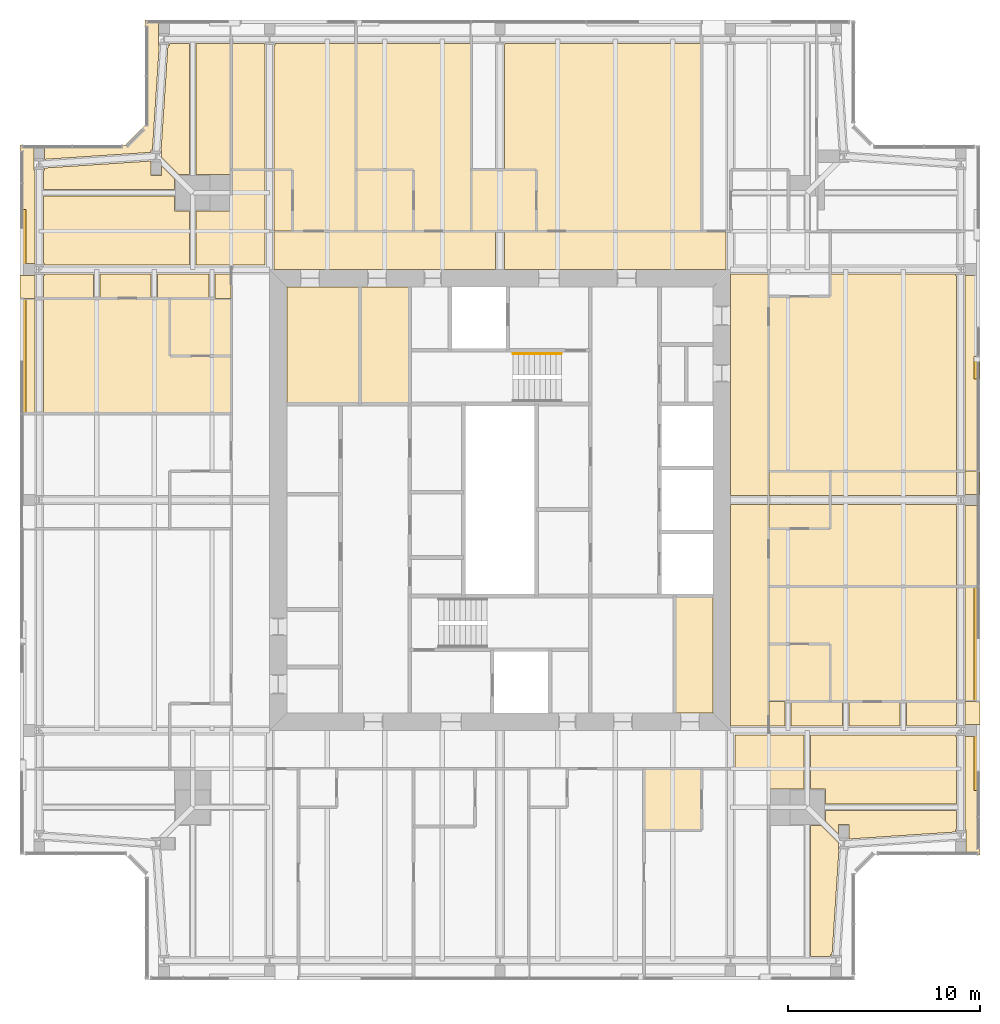
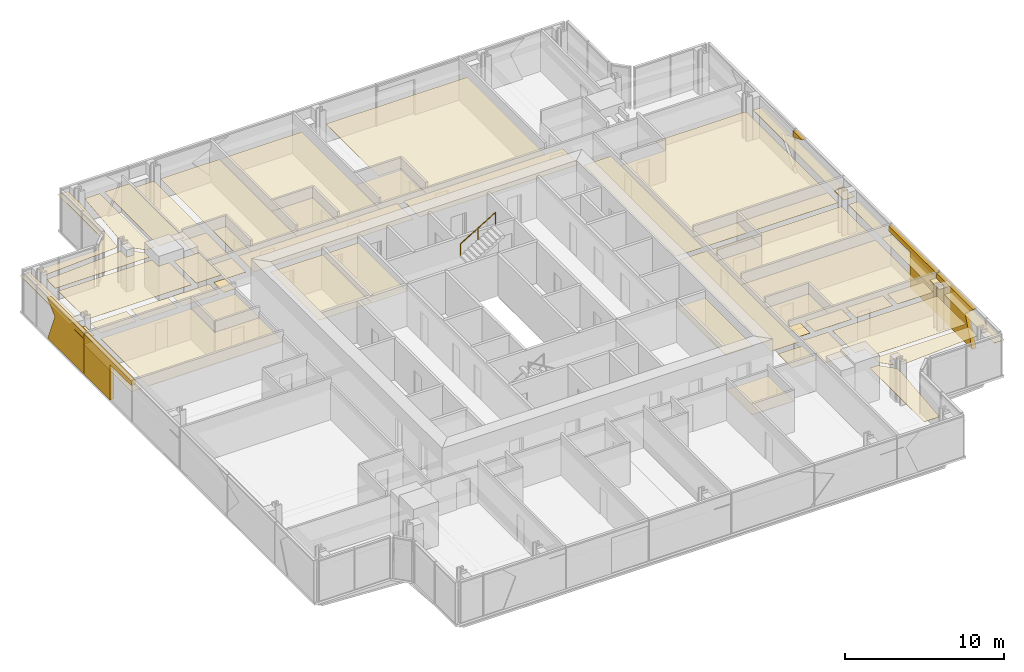
# One storey, part 17 of 18: 59 coverings, 1 railing.
"""IFC4 building model written with IfcOpenShell, lengths in metres."""

import ifcopenshell
import ifcopenshell.guid

model = None  # the IFC model being written
_history = None  # IfcOwnerHistory: only IFC2X3 demands one
_inside = {}  # id of a spatial element -> (the spatial element, [elements in it])
_under = {}  # id of a project, library or spatial element -> (it, [spatial elements below it])
_declared = {}  # id of a project -> (the project, [libraries it declares])
_typed = {}  # id of a type object -> (the type object, [elements of that type])
_made_of = {}  # id of a material, layer set ... -> (it, [elements and type objects made of it])


def new_model(schema):
    """Start an empty IFC model of exactly this schema.

    Asked for "IFC4X3", IfcOpenShell would pick the latest addendum, in which some entities
    have other attributes; the version numbers below select the first issue.
    IFC2X3 requires an IfcOwnerHistory on every rooted entity: one is made here for all.
    """
    global model, _history
    if schema == "IFC4X3":
        model = ifcopenshell.file(schema_version=(4, 3, 0, 0))
    else:
        model = ifcopenshell.file(schema=schema)
    _inside.clear()
    _under.clear()
    _declared.clear()
    _typed.clear()
    _made_of.clear()
    _history = None
    if model.schema == "IFC2X3":
        org = make("IfcOrganization", Name="unknown")
        user = make(
            "IfcPersonAndOrganization",
            ThePerson=make("IfcPerson", FamilyName="unknown"),
            TheOrganization=org,
        )
        app = make(
            "IfcApplication",
            ApplicationDeveloper=org,
            Version="unknown",
            ApplicationFullName="unknown",
            ApplicationIdentifier="unknown",
        )
        _history = make(
            "IfcOwnerHistory",
            OwningUser=user,
            OwningApplication=app,
            ChangeAction="ADDED",
            CreationDate=0,
        )
    return model


def make(cls, **values):
    """One entity of the class cls with the attributes given. An attribute that is None is left unset."""
    return model.create_entity(
        cls, **{name: value for name, value in values.items() if value is not None}
    )


def rooted(cls, **values):
    """An entity with a GlobalId (a new one), such as an element, a storey or a relation."""
    return make(cls, GlobalId=ifcopenshell.guid.new(), OwnerHistory=_history, **values)


def si_unit(unit_type, name, prefix=None):
    """IfcSIUnit, for example si_unit("LENGTHUNIT", "METRE", prefix="MILLI")."""
    return make("IfcSIUnit", UnitType=unit_type, Prefix=prefix, Name=name)


def assignment(units):
    """IfcUnitAssignment: the units of a project."""
    return None if units is None else make("IfcUnitAssignment", Units=units)


def point(xyz):
    """IfcCartesianPoint."""
    return None if xyz is None else make("IfcCartesianPoint", Coordinates=xyz)


def direction(xyz):
    """IfcDirection."""
    return None if xyz is None else make("IfcDirection", DirectionRatios=xyz)


def frame(location, z_axis=None, x_axis=None):
    """IfcAxis2Placement3D, a coordinate frame: its origin and axes. An axis left out is left unset."""
    return make(
        "IfcAxis2Placement3D",
        Location=point(location),
        Axis=direction(z_axis),
        RefDirection=direction(x_axis),
    )


def frame_2d(location, x_axis=None):
    """IfcAxis2Placement2D, a coordinate frame in the plane: its origin and x axis."""
    return make(
        "IfcAxis2Placement2D", Location=point(location), RefDirection=direction(x_axis)
    )


def origin():
    """The frame at (0, 0, 0) with its axes left unset."""
    return frame((0.0, 0.0, 0.0))


def origin_2d():
    """The frame at (0, 0) in the plane with its x axis left unset."""
    return frame_2d((0.0, 0.0))


def place(relative_to, where):
    """IfcLocalPlacement: puts the frame where relative to a parent placement (None: the world)."""
    return make(
        "IfcLocalPlacement", PlacementRelTo=relative_to, RelativePlacement=where
    )


def context(
    kind, dimensions, precision=None, world=None, true_north=None, identifier=None
):
    """IfcGeometricRepresentationContext, for example the 3D "Model" context."""
    return make(
        "IfcGeometricRepresentationContext",
        ContextIdentifier=identifier,
        ContextType=kind,
        CoordinateSpaceDimension=dimensions,
        Precision=precision,
        WorldCoordinateSystem=world,
        TrueNorth=true_north,
    )


def subcontext(parent, identifier, kind, view, scale=None):
    """IfcGeometricRepresentationSubContext, for example "Body" below "Model"."""
    return make(
        "IfcGeometricRepresentationSubContext",
        ContextIdentifier=identifier,
        ContextType=kind,
        ParentContext=parent,
        TargetScale=scale,
        TargetView=view,
    )


def project(units=None, contexts=None):
    """IfcProject with its units and contexts."""
    return rooted(
        "IfcProject",
        Name="project",
        RepresentationContexts=contexts,
        UnitsInContext=assignment(units),
    )


def spatial(cls, under=None, at=None, **own):
    """A site, building, storey or space (cls), placed at a placement, below another one or the project."""
    s = rooted(cls, ObjectPlacement=at, **own)
    if under is not None:
        _under.setdefault(under.id(), (under, []))[1].append(s)
    return s


def polyline(points):
    """IfcPolyline through the points."""
    return make("IfcPolyline", Points=[point(p) for p in points])


def profile(cls, at=None, kind="AREA", **sizes):
    """A parametric profile (cls). Its sizes go by their IFC names, for example OverallWidth=200.0."""
    return make(cls, ProfileType=kind, Position=at, **sizes)


def circle(**sizes):
    """IfcCircleProfileDef."""
    return profile("IfcCircleProfileDef", **sizes)


def outline(outer, holes=None, kind="AREA"):
    """IfcArbitraryClosedProfileDef: a profile drawn as a closed curve; with holes, ...WithVoids."""
    if holes is None:
        return make("IfcArbitraryClosedProfileDef", ProfileType=kind, OuterCurve=outer)
    return make(
        "IfcArbitraryProfileDefWithVoids",
        ProfileType=kind,
        OuterCurve=outer,
        InnerCurves=holes,
    )


def extrude(swept, where, along, depth):
    """IfcExtrudedAreaSolid: the profile swept, set in the frame where, extruded along a direction by depth."""
    return make(
        "IfcExtrudedAreaSolid",
        SweptArea=swept,
        Position=where,
        ExtrudedDirection=direction(along),
        Depth=depth,
    )


def shape(context_of_items, identifier, shape_type, items):
    """IfcShapeRepresentation: the items that make up one representation, for example the "Body"."""
    return make(
        "IfcShapeRepresentation",
        ContextOfItems=context_of_items,
        RepresentationIdentifier=identifier,
        RepresentationType=shape_type,
        Items=items,
    )


def material(Name=None, Category=None):
    """IfcMaterial."""
    return make("IfcMaterial", Name=Name, Category=Category)


def layer(
    of_material, thickness, ventilated=None, Name=None, Category=None, Priority=None
):
    """IfcMaterialLayer: one layer of a wall or slab, of a material (None: an air gap)."""
    return make(
        "IfcMaterialLayer",
        Material=of_material,
        LayerThickness=thickness,
        IsVentilated=ventilated,
        Name=Name,
        Category=Category,
        Priority=Priority,
    )


def layer_set(layers, Name=None):
    """IfcMaterialLayerSet."""
    return make("IfcMaterialLayerSet", MaterialLayers=layers, LayerSetName=Name)


def made_of(thing, what):
    """Note that an element or type object is made of a material, layer set ...; save() writes the relation."""
    if what is not None:
        _made_of.setdefault(what.id(), (what, []))[1].append(thing)
    return thing


def type_object(cls, material=None, **own):
    """A type object (cls), such as IfcWallType, which elements share."""
    return made_of(rooted(cls, **own), material)


def element(
    cls,
    number,
    at=None,
    inside=None,
    cuts=None,
    type_object=None,
    material=None,
    context=None,
    identifier="Body",
    shape_type=None,
    held_by="IfcProductDefinitionShape",
    body=None,
    shapes=None,
    **own,
):
    """One element of the class cls, such as IfcWall. Its Tag is "e" and its number.

    at: its placement. inside: the storey or other place that contains it. cuts: it is an
    opening in that element (IfcRelVoidsElement). A single representation is given by context,
    identifier, shape_type and body (its items); several are given by shapes. held_by: the class
    of the entity that holds the representations. save() writes the other relations.
    """
    e = rooted(cls, Tag="e%d" % number, ObjectPlacement=at, **own)
    if body is not None:
        shapes = [shape(context, identifier, shape_type, body)]
    if shapes is not None:
        e.Representation = make(held_by, Representations=shapes)
    if inside is not None:
        _inside.setdefault(inside.id(), (inside, []))[1].append(e)
    if cuts is not None:
        rooted(
            "IfcRelVoidsElement", RelatingBuildingElement=cuts, RelatedOpeningElement=e
        )
    if type_object is not None:
        _typed.setdefault(type_object.id(), (type_object, []))[1].append(e)
    return made_of(e, material)


def aggregate(whole, parts):
    """IfcRelAggregates: a whole, such as a stair, and the parts it consists of."""
    return rooted("IfcRelAggregates", RelatingObject=whole, RelatedObjects=parts)


def save(model, path):
    """Write the relations noted so far, then the file.

    IfcRelAggregates (storeys below a building ...), IfcRelContainedInSpatialStructure (elements
    in a storey), IfcRelDefinesByType, IfcRelAssociatesMaterial and IfcRelDeclares: one each for
    every whole, place, type object, material and project.
    """
    for whole, parts in _under.values():
        aggregate(whole, parts)
    for where, things in _inside.values():
        rooted(
            "IfcRelContainedInSpatialStructure",
            RelatedElements=things,
            RelatingStructure=where,
        )
    for kind, things in _typed.values():
        rooted("IfcRelDefinesByType", RelatedObjects=things, RelatingType=kind)
    for what, things in _made_of.values():
        rooted("IfcRelAssociatesMaterial", RelatedObjects=things, RelatingMaterial=what)
    for by, libraries in _declared.values():
        rooted("IfcRelDeclares", RelatingContext=by, RelatedDefinitions=libraries)
    model.write(path)


model = new_model("IFC4")

# Units and contexts
model_context = context("Model", 3, precision=1e-05, world=origin(), true_north=direction((0.0, 1.0)))
body_context = subcontext(model_context, "Body", "Model", "MODEL_VIEW")
ifc_project = project(units=[si_unit("LENGTHUNIT", "METRE"), si_unit("AREAUNIT", "SQUARE_METRE"), si_unit("VOLUMEUNIT", "CUBIC_METRE"), si_unit("PLANEANGLEUNIT", "RADIAN"), si_unit("MASSUNIT", "GRAM", prefix="KILO")], contexts=[model_context])

# Site, building, storey
site_placement = place(None, origin())
site = spatial("IfcSite", under=ifc_project, at=site_placement, CompositionType="ELEMENT")
building_placement = place(site_placement, origin())
building = spatial("IfcBuilding", under=site, at=building_placement, Name="Fenwick Lantern Interchange", CompositionType="ELEMENT")
storey_placement = place(building_placement, frame((0.0, 0.0, 293.39990234375)))
storey = spatial("IfcBuildingStorey", under=building, at=storey_placement, Name="L71", CompositionType="ELEMENT", Elevation=293.39990234375)

# Coverings
ifc_material_1 = material(Name="Granite cladding, warm grey flamed finish, on aluminium carrier frame", Category="masonry")
ifc_layer_1 = layer(ifc_material_1, 0.300048828125)
ifc_layer_set_1 = layer_set([ifc_layer_1], Name="BRACE CASING PANEL 300")
covering_type_1 = type_object("IfcCoveringType", Name="BRACE CASING PANEL 300", PredefinedType="CLADDING", material=ifc_layer_set_1)
covering_1_placement = place(storey_placement, frame((49.89990234375, 6.60009765625, 0.0), z_axis=(0.0, 0.0, 1.0), x_axis=(0.0, 1.0, 0.0)))
element("IfcCovering", 1, at=covering_1_placement, inside=storey, type_object=covering_type_1, Name="Brace casing 05 bay 01a", PredefinedType="CLADDING", context=body_context, shape_type="SweptSolid", body=[
    extrude(outline(polyline([(3.36328125, 0.0), (7.8701171875, 0.0), (7.8701171875, 3.10009765625), (3.260986328125, 3.10009765625), (4.258056640625, 2.193603515625), (3.36328125, 0.0)])), frame((0.0, 0.2099609375, 0.0), z_axis=(0.0, -1.0, 0.0), x_axis=(1.0, 0.0, 0.0)), (0.0, 0.0, 1.0), 0.300048828125),
])
covering_2_placement = place(storey_placement, frame((49.89990234375, 6.60009765625, 0.0), z_axis=(0.0, 0.0, 1.0), x_axis=(0.0, 1.0, 0.0)))
element("IfcCovering", 2, at=covering_2_placement, inside=storey, type_object=covering_type_1, Name="Brace casing 05 bay 02a", PredefinedType="CLADDING", context=body_context, shape_type="SweptSolid", body=[
    extrude(outline(polyline([(7.929931640625, 0.0), (11.193603515625, 0.0), (11.193603515625, 2.7265625), (13.8701171875, 2.7265625), (13.8701171875, 3.10009765625), (7.929931640625, 3.10009765625), (7.929931640625, 0.0)])), frame((0.0, 0.2099609375, 0.0), z_axis=(0.0, -1.0, 0.0), x_axis=(1.0, 0.0, 0.0)), (0.0, 0.0, 1.0), 0.300048828125),
])
covering_3_placement = place(storey_placement, frame((49.89990234375, 6.60009765625, 2.61669921875), z_axis=(0.0, 0.0, 1.0), x_axis=(0.0, 1.0, 0.0)))
element("IfcCovering", 3, at=covering_3_placement, inside=storey, type_object=covering_type_1, Name="Brace casing 05 bay 04a", PredefinedType="CLADDING", context=body_context, shape_type="SweptSolid", body=[
    extrude(outline(polyline([(25.8701171875, 0.0), (25.8701171875, 0.4833984375), (24.709716796875, 0.4833984375), (25.8701171875, 0.0)])), frame((0.0, 0.2099609375, 0.0), z_axis=(0.0, -1.0, 0.0), x_axis=(1.0, 0.0, 0.0)), (0.0, 0.0, 1.0), 0.300048828125),
])
covering_4_placement = place(storey_placement, frame((0.10009765625, 43.39990234375, 0.0), z_axis=(0.0, 0.0, 1.0), x_axis=(0.0, -1.0, 0.0)))
element("IfcCovering", 4, at=covering_4_placement, inside=storey, type_object=covering_type_1, Name="Brace casing 13 bay 01a", PredefinedType="CLADDING", context=body_context, shape_type="SweptSolid", body=[
    extrude(outline(polyline([(3.36328125, 0.0), (7.8701171875, 0.0), (7.8701171875, 3.10009765625), (3.260986328125, 3.10009765625), (4.258056640625, 2.193603515625), (3.36328125, 0.0)])), frame((0.0, 0.2099609375, 0.0), z_axis=(0.0, -1.0, 0.0), x_axis=(1.0, 0.0, 0.0)), (0.0, 0.0, 1.0), 0.300048828125),
])
covering_5_placement = place(storey_placement, frame((0.10009765625, 43.39990234375, 0.0), z_axis=(0.0, 0.0, 1.0), x_axis=(0.0, -1.0, 0.0)))
element("IfcCovering", 5, at=covering_5_placement, inside=storey, type_object=covering_type_1, Name="Brace casing 13 bay 02a", PredefinedType="CLADDING", context=body_context, shape_type="SweptSolid", body=[
    extrude(outline(polyline([(7.929931640625, 0.0), (11.193603515625, 0.0), (11.193603515625, 2.7265625), (13.8701171875, 2.7265625), (13.8701171875, 3.10009765625), (7.929931640625, 3.10009765625), (7.929931640625, 0.0)])), frame((0.0, 0.2099609375, 0.0), z_axis=(0.0, -1.0, 0.0), x_axis=(1.0, 0.0, 0.0)), (0.0, 0.0, 1.0), 0.300048828125),
])

# Railing
ifc_material_2 = material(Name="Stainless steel handrail", Category="steel")
railing_type = type_object("IfcRailingType", Name="HANDRAIL 900", PredefinedType="HANDRAIL", material=ifc_material_2)
railing_placement = place(storey_placement, frame((25.679931640625, 32.6259765625, 1.8701171875)))
element("IfcRailing", 6, at=railing_placement, inside=storey, type_object=railing_type, Name="L71/STAIR/ST2/HR2", PredefinedType="HANDRAIL", context=body_context, shape_type="SweptSolid", body=[
    extrude(circle(Radius=0.02392578125, at=origin_2d()), frame((0.0, 0.0, 0.8759765625), z_axis=(0.85478489116, 0.0, 0.518982456201), x_axis=(0.0, 1.0, 0.0)), (0.0, 0.0, 1.0), 2.9482421875),
    extrude(circle(Radius=0.02099609375, at=origin_2d()), origin(), (0.0, 0.0, 1.0), 0.851806640625),
    extrude(circle(Radius=0.02099609375, at=origin_2d()), frame((1.260009765625, 0.0, 0.76513671875)), (0.0, 0.0, 1.0), 0.851806640625),
    extrude(circle(Radius=0.02099609375, at=origin_2d()), frame((2.52001953125, 0.0, 1.530029296875)), (0.0, 0.0, 1.0), 0.851806640625),
])

# Coverings
ifc_material_3 = material(Name="Moisture resistant gypsum board on suspended frame, painted")
ifc_layer_2 = layer(ifc_material_3, 0.014892578125)
ifc_layer_set_2 = layer_set([ifc_layer_2], Name="MOISTURE RESISTANT CEILING 15")
covering_type_2 = type_object("IfcCoveringType", Name="MOISTURE RESISTANT CEILING 15", PredefinedType="CEILING", material=ifc_layer_set_2)
covering_6_placement = place(storey_placement, frame((0.0, 0.0, 2.60009765625)))
element("IfcCovering", 7, at=covering_6_placement, inside=storey, type_object=covering_type_2, Name="Men's WC ceiling", PredefinedType="CEILING", context=body_context, shape_type="SweptSolid", body=[
    extrude(outline(polyline([(34.10009765625, 13.89990234375), (36.10009765625, 13.89990234375), (36.10009765625, 20.0), (34.10009765625, 20.0), (34.10009765625, 13.89990234375)])), origin(), (0.0, 0.0, 1.0), 0.014892578125),
])
covering_7_placement = place(storey_placement, frame((0.0, 0.0, 2.60009765625)))
element("IfcCovering", 8, at=covering_7_placement, inside=storey, type_object=covering_type_2, Name="Men's WC ceiling", PredefinedType="CEILING", context=body_context, shape_type="SweptSolid", body=[
    extrude(outline(polyline([(20.300048828125, 36.10009765625), (17.699951171875, 36.10009765625), (17.699951171875, 30.0), (20.300048828125, 30.0), (20.300048828125, 36.10009765625)])), origin(), (0.0, 0.0, 1.0), 0.014892578125),
])
covering_8_placement = place(storey_placement, frame((0.0, 0.0, 2.60009765625)))
element("IfcCovering", 9, at=covering_8_placement, inside=storey, type_object=covering_type_2, Name="Women's WC ceiling", PredefinedType="CEILING", context=body_context, shape_type="SweptSolid", body=[
    extrude(outline(polyline([(17.699951171875, 36.10009765625), (13.89990234375, 36.10009765625), (13.89990234375, 30.0), (17.699951171875, 30.0), (17.699951171875, 36.10009765625)])), origin(), (0.0, 0.0, 1.0), 0.014892578125),
])
covering_9_placement = place(storey_placement, frame((0.0, 0.0, 2.289306640625)))
element("IfcCovering", 10, at=covering_9_placement, inside=storey, type_object=covering_type_2, Name="En-suite 7102 ceiling", PredefinedType="CEILING", context=body_context, shape_type="SweptSolid", body=[
    extrude(outline(polyline([(32.5, 7.800048828125), (35.5, 7.800048828125), (35.5, 11.0), (32.5, 11.0), (32.5, 7.800048828125)])), origin(), (0.0, 0.0, 1.0), 0.014892578125),
])
covering_10_placement = place(storey_placement, frame((0.0, 0.0, 2.289306640625)))
element("IfcCovering", 11, at=covering_10_placement, inside=storey, type_object=covering_type_2, Name="En-suite 7103 ceiling", PredefinedType="CEILING", context=body_context, shape_type="SweptSolid", body=[
    extrude(outline(polyline([(42.199951171875, 14.5), (42.199951171875, 17.5), (39.0, 17.5), (39.0, 14.5), (42.199951171875, 14.5)])), origin(), (0.0, 0.0, 1.0), 0.014892578125),
])
covering_11_placement = place(storey_placement, frame((0.0, 0.0, 2.289306640625)))
element("IfcCovering", 12, at=covering_11_placement, inside=storey, type_object=covering_type_2, Name="En-suite 7104 ceiling", PredefinedType="CEILING", context=body_context, shape_type="SweptSolid", body=[
    extrude(outline(polyline([(42.199951171875, 23.5), (42.199951171875, 24.775634765625), (39.0, 24.775634765625), (39.0, 23.5), (42.199951171875, 23.5)])), origin(), (0.0, 0.0, 1.0), 0.014892578125),
])
covering_12_placement = place(storey_placement, frame((0.0, 0.0, 2.289306640625)))
element("IfcCovering", 13, at=covering_12_placement, inside=storey, type_object=covering_type_2, Name="En-suite 7104 ceiling", PredefinedType="CEILING", context=body_context, shape_type="SweptSolid", body=[
    extrude(outline(polyline([(39.0, 26.5), (39.0, 25.224365234375), (42.199951171875, 25.224365234375), (42.199951171875, 26.5), (39.0, 26.5)])), origin(), (0.0, 0.0, 1.0), 0.014892578125),
])
covering_13_placement = place(storey_placement, frame((0.0, 0.0, 2.187744140625)))
element("IfcCovering", 14, at=covering_13_placement, inside=storey, type_object=covering_type_2, Name="En-suite 7107 ceiling", PredefinedType="CEILING", context=body_context, shape_type="SweptSolid", body=[
    extrude(outline(polyline([(26.89990234375, 42.199951171875), (23.5, 42.199951171875), (23.5, 39.0), (26.89990234375, 39.0), (26.89990234375, 42.199951171875)])), origin(), (0.0, 0.0, 1.0), 0.014892578125),
])
covering_14_placement = place(storey_placement, frame((0.0, 0.0, 2.289306640625)))
element("IfcCovering", 15, at=covering_14_placement, inside=storey, type_object=covering_type_2, Name="En-suite 7108 ceiling", PredefinedType="CEILING", context=body_context, shape_type="SweptSolid", body=[
    extrude(outline(polyline([(20.5, 42.199951171875), (17.5, 42.199951171875), (17.5, 39.0), (20.5, 39.0), (20.5, 42.199951171875)])), origin(), (0.0, 0.0, 1.0), 0.014892578125),
])
covering_15_placement = place(storey_placement, frame((0.0, 0.0, 2.289306640625)))
element("IfcCovering", 16, at=covering_15_placement, inside=storey, type_object=covering_type_2, Name="En-suite 7109 ceiling", PredefinedType="CEILING", context=body_context, shape_type="SweptSolid", body=[
    extrude(outline(polyline([(11.0, 39.0), (12.767822265625, 39.0), (12.767822265625, 42.199951171875), (11.0, 42.199951171875), (11.0, 39.0)])), origin(), (0.0, 0.0, 1.0), 0.014892578125),
])
covering_16_placement = place(storey_placement, frame((0.0, 0.0, 2.289306640625)))
element("IfcCovering", 17, at=covering_16_placement, inside=storey, type_object=covering_type_2, Name="En-suite 7109 ceiling", PredefinedType="CEILING", context=body_context, shape_type="SweptSolid", body=[
    extrude(outline(polyline([(14.199951171875, 42.199951171875), (13.232177734375, 42.199951171875), (13.232177734375, 39.0), (14.199951171875, 39.0), (14.199951171875, 42.199951171875)])), origin(), (0.0, 0.0, 1.0), 0.014892578125),
])
covering_17_placement = place(storey_placement, frame((0.0, 0.0, 2.289306640625)))
element("IfcCovering", 18, at=covering_17_placement, inside=storey, type_object=covering_type_2, Name="En-suite 7110 ceiling", PredefinedType="CEILING", context=body_context, shape_type="SweptSolid", body=[
    extrude(outline(polyline([(7.800048828125, 35.5), (7.800048828125, 32.5), (11.0, 32.5), (11.0, 35.5), (7.800048828125, 35.5)])), origin(), (0.0, 0.0, 1.0), 0.014892578125),
])
ifc_material_4 = material(Name="Gypsum plasterboard on suspended frame, painted")
ifc_layer_3 = layer(ifc_material_4, 0.014892578125)
ifc_layer_set_3 = layer_set([ifc_layer_3], Name="PLASTERBOARD CEILING 15")
covering_type_3 = type_object("IfcCoveringType", Name="PLASTERBOARD CEILING 15", PredefinedType="CEILING", material=ifc_layer_set_3)
covering_18_placement = place(storey_placement, frame((0.0, 0.0, 2.289306640625)))
element("IfcCovering", 19, at=covering_18_placement, inside=storey, type_object=covering_type_3, Name="Corridor ceiling", PredefinedType="CEILING", context=body_context, shape_type="SweptSolid", body=[
    extrude(outline(polyline([(39.0, 13.232177734375), (39.0, 24.775634765625), (37.0, 24.775634765625), (37.0, 13.232177734375), (39.0, 13.232177734375)])), origin(), (0.0, 0.0, 1.0), 0.014892578125),
])
covering_19_placement = place(storey_placement, frame((0.0, 0.0, 2.289306640625)))
element("IfcCovering", 20, at=covering_19_placement, inside=storey, type_object=covering_type_3, Name="Corridor ceiling", PredefinedType="CEILING", context=body_context, shape_type="SweptSolid", body=[
    extrude(outline(polyline([(39.0, 25.224365234375), (39.0, 36.767822265625), (37.0, 36.767822265625), (37.0, 25.224365234375), (39.0, 25.224365234375)])), origin(), (0.0, 0.0, 1.0), 0.014892578125),
])
covering_20_placement = place(storey_placement, frame((0.0, 0.0, 2.289306640625)))
element("IfcCovering", 21, at=covering_20_placement, inside=storey, type_object=covering_type_3, Name="Corridor ceiling", PredefinedType="CEILING", context=body_context, shape_type="SweptSolid", body=[
    extrude(outline(polyline([(24.767822265625, 39.0), (13.232177734375, 39.0), (13.232177734375, 37.0), (24.767822265625, 37.0), (24.767822265625, 39.0)])), origin(), (0.0, 0.0, 1.0), 0.014892578125),
])
covering_21_placement = place(storey_placement, frame((0.0, 0.0, 2.289306640625)))
element("IfcCovering", 22, at=covering_21_placement, inside=storey, type_object=covering_type_3, Name="Corridor ceiling", PredefinedType="CEILING", context=body_context, shape_type="SweptSolid", body=[
    extrude(outline(polyline([(36.767822265625, 39.0), (25.232177734375, 39.0), (25.232177734375, 37.0), (36.767822265625, 37.0), (36.767822265625, 39.0)])), origin(), (0.0, 0.0, 1.0), 0.014892578125),
])
covering_22_placement = place(storey_placement, frame((0.0, 0.0, 2.289306640625)))
element("IfcCovering", 23, at=covering_22_placement, inside=storey, type_object=covering_type_3, Name="Corridor ceiling", PredefinedType="CEILING", context=body_context, shape_type="SweptSolid", body=[
    extrude(outline(polyline([(12.767822265625, 39.0), (11.0, 39.0), (11.0, 37.232177734375), (12.767822265625, 37.232177734375), (12.767822265625, 39.0)])), origin(), (0.0, 0.0, 1.0), 0.014892578125),
])
covering_23_placement = place(storey_placement, frame((0.0, 0.0, 2.289306640625)))
element("IfcCovering", 24, at=covering_23_placement, inside=storey, type_object=covering_type_3, Name="Corridor ceiling", PredefinedType="CEILING", context=body_context, shape_type="SweptSolid", body=[
    extrude(outline(polyline([(39.0, 11.0), (39.0, 12.767822265625), (37.232177734375, 12.767822265625), (37.232177734375, 11.0), (39.0, 11.0)])), origin(), (0.0, 0.0, 1.0), 0.014892578125),
])
covering_24_placement = place(storey_placement, frame((0.0, 0.0, 2.7001953125)))
element("IfcCovering", 25, at=covering_24_placement, inside=storey, type_object=covering_type_3, Name="Guest suite 7103 sitting room ceiling", PredefinedType="CEILING", context=body_context, shape_type="SweptSolid", body=[
    extrude(outline(polyline([(41.949951171875, 9.949951171875), (41.949951171875, 9.166015625), (48.775634765625, 9.166015625), (48.775634765625, 12.6845703125), (48.72900390625, 12.6845703125), (48.72900390625, 12.767822265625), (41.166015625, 12.767822265625), (41.166015625, 9.949951171875), (41.949951171875, 9.949951171875)])), origin(), (0.0, 0.0, 1.0), 0.014892578125),
])
covering_25_placement = place(storey_placement, frame((0.0, 0.0, 2.7001953125)))
element("IfcCovering", 26, at=covering_25_placement, inside=storey, type_object=covering_type_3, Name="Guest suite 7103 sitting room ceiling", PredefinedType="CEILING", context=body_context, shape_type="SweptSolid", body=[
    extrude(outline(polyline([(42.22265625, 1.33447265625), (42.296875, 1.33447265625), (42.653076171875, 6.765625), (42.62255859375, 6.765625), (42.62255859375, 7.160400390625), (41.733154296875, 8.050048828125), (41.166015625, 8.050048828125), (41.166015625, 1.224365234375), (42.22265625, 1.224365234375), (42.22265625, 1.33447265625)])), origin(), (0.0, 0.0, 1.0), 0.014892578125),
])
covering_26_placement = place(storey_placement, frame((0.0, 0.0, 2.7001953125)))
element("IfcCovering", 27, at=covering_26_placement, inside=storey, type_object=covering_type_3, Name="Guest suite 7103 sitting room ceiling", PredefinedType="CEILING", context=body_context, shape_type="SweptSolid", body=[
    extrude(outline(polyline([(41.949951171875, 8.833984375), (41.949951171875, 8.266845703125), (42.62255859375, 7.59423828125), (42.62255859375, 8.10009765625), (43.17724609375, 8.10009765625), (43.17724609375, 7.343017578125), (48.72265625, 7.706787109375), (48.72265625, 7.83447265625), (48.775634765625, 7.83447265625), (48.775634765625, 8.833984375), (41.949951171875, 8.833984375)])), origin(), (0.0, 0.0, 1.0), 0.014892578125),
])
covering_27_placement = place(storey_placement, frame((0.0, 0.0, 2.7001953125)))
element("IfcCovering", 28, at=covering_27_placement, inside=storey, type_object=covering_type_3, Name="Guest suite 7103 sitting room ceiling", PredefinedType="CEILING", context=body_context, shape_type="SweptSolid", body=[
    extrude(outline(polyline([(39.0, 9.949951171875), (40.833984375, 9.949951171875), (40.833984375, 12.767822265625), (39.0, 12.767822265625), (39.0, 9.949951171875)])), origin(), (0.0, 0.0, 1.0), 0.014892578125),
])
covering_28_placement = place(storey_placement, frame((0.0, 0.0, 2.7001953125)))
element("IfcCovering", 29, at=covering_28_placement, inside=storey, type_object=covering_type_3, Name="Guest suite 7103 sitting room ceiling", PredefinedType="CEILING", context=body_context, shape_type="SweptSolid", body=[
    extrude(outline(polyline([(50.0, 12.6845703125), (49.224365234375, 12.6845703125), (49.224365234375, 7.83447265625), (49.27734375, 7.83447265625), (49.27734375, 6.5), (50.0, 6.5), (50.0, 12.6845703125)])), origin(), (0.0, 0.0, 1.0), 0.014892578125),
])
covering_29_placement = place(storey_placement, frame((0.0, 0.0, 2.7001953125)))
element("IfcCovering", 30, at=covering_29_placement, inside=storey, type_object=covering_type_3, Name="Guest suite 7103 sitting room ceiling", PredefinedType="CEILING", context=body_context, shape_type="SweptSolid", body=[
    extrude(outline(polyline([(42.833984375, 14.5), (40.166015625, 14.5), (40.166015625, 13.232177734375), (42.833984375, 13.232177734375), (42.833984375, 14.5)])), origin(), (0.0, 0.0, 1.0), 0.014892578125),
])
covering_30_placement = place(storey_placement, frame((0.0, 0.0, 2.7001953125)))
element("IfcCovering", 31, at=covering_30_placement, inside=storey, type_object=covering_type_3, Name="Guest suite 7103 sitting room ceiling", PredefinedType="CEILING", context=body_context, shape_type="SweptSolid", body=[
    extrude(outline(polyline([(45.833984375, 14.5), (43.166015625, 14.5), (43.166015625, 13.232177734375), (45.833984375, 13.232177734375), (45.833984375, 14.5)])), origin(), (0.0, 0.0, 1.0), 0.014892578125),
])
covering_31_placement = place(storey_placement, frame((0.0, 0.0, 2.7001953125)))
element("IfcCovering", 32, at=covering_31_placement, inside=storey, type_object=covering_type_3, Name="Guest suite 7103 sitting room ceiling", PredefinedType="CEILING", context=body_context, shape_type="SweptSolid", body=[
    extrude(outline(polyline([(48.775634765625, 14.5), (46.166015625, 14.5), (46.166015625, 13.232177734375), (48.72900390625, 13.232177734375), (48.72900390625, 13.3154296875), (48.775634765625, 13.3154296875), (48.775634765625, 14.5)])), origin(), (0.0, 0.0, 1.0), 0.014892578125),
])
covering_32_placement = place(storey_placement, frame((0.0, 0.0, 2.7001953125)))
element("IfcCovering", 33, at=covering_32_placement, inside=storey, type_object=covering_type_3, Name="Guest suite 7103 sitting room ceiling", PredefinedType="CEILING", context=body_context, shape_type="SweptSolid", body=[
    extrude(outline(polyline([(39.0, 14.5), (39.0, 13.232177734375), (39.833984375, 13.232177734375), (39.833984375, 14.5), (39.0, 14.5)])), origin(), (0.0, 0.0, 1.0), 0.014892578125),
])
covering_33_placement = place(storey_placement, frame((0.0, 0.0, 2.7001953125)))
element("IfcCovering", 34, at=covering_33_placement, inside=storey, type_object=covering_type_3, Name="Guest suite 7103 sitting room ceiling", PredefinedType="CEILING", context=body_context, shape_type="SweptSolid", body=[
    extrude(outline(polyline([(50.0, 14.5), (49.224365234375, 14.5), (49.224365234375, 13.3154296875), (50.0, 13.3154296875), (50.0, 14.5)])), origin(), (0.0, 0.0, 1.0), 0.014892578125),
])
covering_34_placement = place(storey_placement, frame((0.0, 0.0, 2.289306640625)))
element("IfcCovering", 35, at=covering_34_placement, inside=storey, type_object=covering_type_3, Name="Guest suite 7103 bedroom ceiling", PredefinedType="CEILING", context=body_context, shape_type="SweptSolid", body=[
    extrude(outline(polyline([(48.775634765625, 20.5), (39.0, 20.5), (39.0, 17.5), (42.199951171875, 17.5), (42.199951171875, 14.5), (48.775634765625, 14.5), (48.775634765625, 20.5)])), origin(), (0.0, 0.0, 1.0), 0.014892578125),
])
covering_35_placement = place(storey_placement, frame((0.0, 0.0, 2.289306640625)))
element("IfcCovering", 36, at=covering_35_placement, inside=storey, type_object=covering_type_3, Name="Guest suite 7103 bedroom ceiling", PredefinedType="CEILING", context=body_context, shape_type="SweptSolid", body=[
    extrude(outline(polyline([(50.0, 20.5), (49.224365234375, 20.5), (49.224365234375, 14.5), (50.0, 14.5), (50.0, 20.5)])), origin(), (0.0, 0.0, 1.0), 0.014892578125),
])
covering_36_placement = place(storey_placement, frame((0.0, 0.0, 2.289306640625)))
element("IfcCovering", 37, at=covering_36_placement, inside=storey, type_object=covering_type_3, Name="Guest room 7104 ceiling", PredefinedType="CEILING", context=body_context, shape_type="SweptSolid", body=[
    extrude(outline(polyline([(48.73779296875, 24.71240234375), (48.73779296875, 24.775634765625), (42.199951171875, 24.775634765625), (42.199951171875, 23.5), (39.0, 23.5), (39.0, 20.5), (48.775634765625, 20.5), (48.775634765625, 24.71240234375), (48.73779296875, 24.71240234375)])), origin(), (0.0, 0.0, 1.0), 0.014892578125),
])
covering_37_placement = place(storey_placement, frame((0.0, 0.0, 2.289306640625)))
element("IfcCovering", 38, at=covering_37_placement, inside=storey, type_object=covering_type_3, Name="Guest room 7104 ceiling", PredefinedType="CEILING", context=body_context, shape_type="SweptSolid", body=[
    extrude(outline(polyline([(48.73779296875, 25.28759765625), (48.775634765625, 25.28759765625), (48.775634765625, 26.5), (42.199951171875, 26.5), (42.199951171875, 25.224365234375), (48.73779296875, 25.224365234375), (48.73779296875, 25.28759765625)])), origin(), (0.0, 0.0, 1.0), 0.014892578125),
])
covering_38_placement = place(storey_placement, frame((0.0, 0.0, 2.289306640625)))
element("IfcCovering", 39, at=covering_38_placement, inside=storey, type_object=covering_type_3, Name="Guest room 7104 ceiling", PredefinedType="CEILING", context=body_context, shape_type="SweptSolid", body=[
    extrude(outline(polyline([(50.0, 24.71240234375), (49.224365234375, 24.71240234375), (49.224365234375, 20.5), (50.0, 20.5), (50.0, 24.71240234375)])), origin(), (0.0, 0.0, 1.0), 0.014892578125),
])
covering_39_placement = place(storey_placement, frame((0.0, 0.0, 2.289306640625)))
element("IfcCovering", 40, at=covering_39_placement, inside=storey, type_object=covering_type_3, Name="Guest room 7104 ceiling", PredefinedType="CEILING", context=body_context, shape_type="SweptSolid", body=[
    extrude(outline(polyline([(49.224365234375, 25.28759765625), (50.0, 25.28759765625), (50.0, 26.5), (49.224365234375, 26.5), (49.224365234375, 25.28759765625)])), origin(), (0.0, 0.0, 1.0), 0.014892578125),
])
covering_40_placement = place(storey_placement, frame((0.0, 0.0, 2.289306640625)))
element("IfcCovering", 41, at=covering_40_placement, inside=storey, type_object=covering_type_3, Name="Guest suite 7105 ceiling", PredefinedType="CEILING", context=body_context, shape_type="SweptSolid", body=[
    extrude(outline(polyline([(48.72900390625, 36.6845703125), (48.72900390625, 36.767822265625), (42.199951171875, 36.767822265625), (42.199951171875, 35.60009765625), (39.0, 35.60009765625), (39.0, 26.5), (48.775634765625, 26.5), (48.775634765625, 36.6845703125), (48.72900390625, 36.6845703125)])), origin(), (0.0, 0.0, 1.0), 0.014892578125),
])
covering_41_placement = place(storey_placement, frame((0.0, 0.0, 2.289306640625)))
element("IfcCovering", 42, at=covering_41_placement, inside=storey, type_object=covering_type_3, Name="Guest suite 7105 ceiling", PredefinedType="CEILING", context=body_context, shape_type="SweptSolid", body=[
    extrude(outline(polyline([(50.0, 36.6845703125), (49.224365234375, 36.6845703125), (49.224365234375, 26.5), (50.0, 26.5), (50.0, 36.6845703125)])), origin(), (0.0, 0.0, 1.0), 0.014892578125),
])
covering_42_placement = place(storey_placement, frame((0.0, 0.0, 2.289306640625)))
element("IfcCovering", 43, at=covering_42_placement, inside=storey, type_object=covering_type_3, Name="Guest suite 7107 ceiling", PredefinedType="CEILING", context=body_context, shape_type="SweptSolid", body=[
    extrude(outline(polyline([(25.26220703125, 48.71240234375), (25.232177734375, 48.71240234375), (25.232177734375, 42.199951171875), (26.89990234375, 42.199951171875), (26.89990234375, 39.0), (35.5, 39.0), (35.5, 48.775634765625), (25.26220703125, 48.775634765625), (25.26220703125, 48.71240234375)])), origin(), (0.0, 0.0, 1.0), 0.014892578125),
])
covering_43_placement = place(storey_placement, frame((0.0, 0.0, 2.289306640625)))
element("IfcCovering", 44, at=covering_43_placement, inside=storey, type_object=covering_type_3, Name="Guest room 7108 ceiling", PredefinedType="CEILING", context=body_context, shape_type="SweptSolid", body=[
    extrude(outline(polyline([(23.5, 39.0), (23.5, 48.775634765625), (17.5, 48.775634765625), (17.5, 42.199951171875), (20.5, 42.199951171875), (20.5, 39.0), (23.5, 39.0)])), origin(), (0.0, 0.0, 1.0), 0.014892578125),
])
covering_44_placement = place(storey_placement, frame((0.0, 0.0, 2.289306640625)))
element("IfcCovering", 45, at=covering_44_placement, inside=storey, type_object=covering_type_3, Name="Guest room 7109 ceiling", PredefinedType="CEILING", context=body_context, shape_type="SweptSolid", body=[
    extrude(outline(polyline([(13.27099609375, 48.6845703125), (13.232177734375, 48.6845703125), (13.232177734375, 42.199951171875), (14.199951171875, 42.199951171875), (14.199951171875, 39.0), (17.5, 39.0), (17.5, 48.775634765625), (13.27099609375, 48.775634765625), (13.27099609375, 48.6845703125)])), origin(), (0.0, 0.0, 1.0), 0.014892578125),
])
covering_45_placement = place(storey_placement, frame((0.0, 0.0, 2.289306640625)))
element("IfcCovering", 46, at=covering_45_placement, inside=storey, type_object=covering_type_3, Name="Guest room 7109 ceiling", PredefinedType="CEILING", context=body_context, shape_type="SweptSolid", body=[
    extrude(outline(polyline([(12.72900390625, 48.6845703125), (12.72900390625, 48.775634765625), (11.0, 48.775634765625), (11.0, 42.199951171875), (12.767822265625, 42.199951171875), (12.767822265625, 48.6845703125), (12.72900390625, 48.6845703125)])), origin(), (0.0, 0.0, 1.0), 0.014892578125),
])
covering_46_placement = place(storey_placement, frame((0.0, 0.0, 2.7001953125)))
element("IfcCovering", 47, at=covering_46_placement, inside=storey, type_object=covering_type_3, Name="Guest suite 7110 sitting room ceiling", PredefinedType="CEILING", context=body_context, shape_type="SweptSolid", body=[
    extrude(outline(polyline([(8.050048828125, 40.050048828125), (8.050048828125, 40.833984375), (1.224365234375, 40.833984375), (1.224365234375, 37.3154296875), (1.27099609375, 37.3154296875), (1.27099609375, 37.232177734375), (8.833984375, 37.232177734375), (8.833984375, 40.050048828125), (8.050048828125, 40.050048828125)])), origin(), (0.0, 0.0, 1.0), 0.014892578125),
])
covering_47_placement = place(storey_placement, frame((0.0, 0.0, 2.7001953125)))
element("IfcCovering", 48, at=covering_47_placement, inside=storey, type_object=covering_type_3, Name="Guest suite 7110 sitting room ceiling", PredefinedType="CEILING", context=body_context, shape_type="SweptSolid", body=[
    extrude(outline(polyline([(11.0, 41.949951171875), (11.0, 48.775634765625), (9.166015625, 48.775634765625), (9.166015625, 41.949951171875), (11.0, 41.949951171875)])), origin(), (0.0, 0.0, 1.0), 0.014892578125),
])
covering_48_placement = place(storey_placement, frame((0.0, 0.0, 2.7001953125)))
element("IfcCovering", 49, at=covering_48_placement, inside=storey, type_object=covering_type_3, Name="Guest suite 7110 sitting room ceiling", PredefinedType="CEILING", context=body_context, shape_type="SweptSolid", body=[
    extrude(outline(polyline([(7.77734375, 48.66552734375), (7.703125, 48.66552734375), (7.346923828125, 43.234375), (7.37744140625, 43.234375), (7.37744140625, 42.839599609375), (8.266845703125, 41.949951171875), (8.833984375, 41.949951171875), (8.833984375, 48.775634765625), (7.77734375, 48.775634765625), (7.77734375, 48.66552734375)])), origin(), (0.0, 0.0, 1.0), 0.014892578125),
])
covering_49_placement = place(storey_placement, frame((0.0, 0.0, 2.7001953125)))
element("IfcCovering", 50, at=covering_49_placement, inside=storey, type_object=covering_type_3, Name="Guest suite 7110 sitting room ceiling", PredefinedType="CEILING", context=body_context, shape_type="SweptSolid", body=[
    extrude(outline(polyline([(8.050048828125, 41.166015625), (8.050048828125, 41.733154296875), (7.37744140625, 42.40576171875), (7.37744140625, 41.89990234375), (6.82275390625, 41.89990234375), (6.82275390625, 42.656982421875), (1.27734375, 42.293212890625), (1.27734375, 42.16552734375), (1.224365234375, 42.16552734375), (1.224365234375, 41.166015625), (8.050048828125, 41.166015625)])), origin(), (0.0, 0.0, 1.0), 0.014892578125),
])
covering_50_placement = place(storey_placement, frame((0.0, 0.0, 2.7001953125)))
element("IfcCovering", 51, at=covering_50_placement, inside=storey, type_object=covering_type_3, Name="Guest suite 7110 sitting room ceiling", PredefinedType="CEILING", context=body_context, shape_type="SweptSolid", body=[
    extrude(outline(polyline([(7.253173828125, 48.66552734375), (7.22265625, 48.66552734375), (7.22265625, 50.0), (6.5, 50.0), (6.5, 44.5), (5.5, 43.5), (1.27734375, 43.5), (1.27734375, 42.7431640625), (6.82275390625, 43.106689453125), (6.82275390625, 43.234375), (6.89697265625, 43.234375), (7.253173828125, 48.66552734375)])), origin(), (0.0, 0.0, 1.0), 0.014892578125),
])
covering_51_placement = place(storey_placement, frame((0.0, 0.0, 2.7001953125)))
element("IfcCovering", 52, at=covering_51_placement, inside=storey, type_object=covering_type_3, Name="Guest suite 7110 sitting room ceiling", PredefinedType="CEILING", context=body_context, shape_type="SweptSolid", body=[
    extrude(outline(polyline([(11.0, 40.050048828125), (9.166015625, 40.050048828125), (9.166015625, 37.232177734375), (11.0, 37.232177734375), (11.0, 40.050048828125)])), origin(), (0.0, 0.0, 1.0), 0.014892578125),
])
covering_52_placement = place(storey_placement, frame((0.0, 0.0, 2.7001953125)))
element("IfcCovering", 53, at=covering_52_placement, inside=storey, type_object=covering_type_3, Name="Guest suite 7110 sitting room ceiling", PredefinedType="CEILING", context=body_context, shape_type="SweptSolid", body=[
    extrude(outline(polyline([(0.0, 37.3154296875), (0.775634765625, 37.3154296875), (0.775634765625, 42.16552734375), (0.72265625, 42.16552734375), (0.72265625, 43.5), (0.0, 43.5), (0.0, 37.3154296875)])), origin(), (0.0, 0.0, 1.0), 0.014892578125),
])
covering_53_placement = place(storey_placement, frame((0.0, 0.0, 2.7001953125)))
element("IfcCovering", 54, at=covering_53_placement, inside=storey, type_object=covering_type_3, Name="Guest suite 7110 sitting room ceiling", PredefinedType="CEILING", context=body_context, shape_type="SweptSolid", body=[
    extrude(outline(polyline([(4.166015625, 35.5), (6.833984375, 35.5), (6.833984375, 36.767822265625), (4.166015625, 36.767822265625), (4.166015625, 35.5)])), origin(), (0.0, 0.0, 1.0), 0.014892578125),
])
covering_54_placement = place(storey_placement, frame((0.0, 0.0, 2.7001953125)))
element("IfcCovering", 55, at=covering_54_placement, inside=storey, type_object=covering_type_3, Name="Guest suite 7110 sitting room ceiling", PredefinedType="CEILING", context=body_context, shape_type="SweptSolid", body=[
    extrude(outline(polyline([(7.166015625, 35.5), (9.833984375, 35.5), (9.833984375, 36.767822265625), (7.166015625, 36.767822265625), (7.166015625, 35.5)])), origin(), (0.0, 0.0, 1.0), 0.014892578125),
])
covering_55_placement = place(storey_placement, frame((0.0, 0.0, 2.7001953125)))
element("IfcCovering", 56, at=covering_55_placement, inside=storey, type_object=covering_type_3, Name="Guest suite 7110 sitting room ceiling", PredefinedType="CEILING", context=body_context, shape_type="SweptSolid", body=[
    extrude(outline(polyline([(1.224365234375, 35.5), (3.833984375, 35.5), (3.833984375, 36.767822265625), (1.27099609375, 36.767822265625), (1.27099609375, 36.6845703125), (1.224365234375, 36.6845703125), (1.224365234375, 35.5)])), origin(), (0.0, 0.0, 1.0), 0.014892578125),
])
covering_56_placement = place(storey_placement, frame((0.0, 0.0, 2.7001953125)))
element("IfcCovering", 57, at=covering_56_placement, inside=storey, type_object=covering_type_3, Name="Guest suite 7110 sitting room ceiling", PredefinedType="CEILING", context=body_context, shape_type="SweptSolid", body=[
    extrude(outline(polyline([(11.0, 35.5), (11.0, 36.767822265625), (10.166015625, 36.767822265625), (10.166015625, 35.5), (11.0, 35.5)])), origin(), (0.0, 0.0, 1.0), 0.014892578125),
])
covering_57_placement = place(storey_placement, frame((0.0, 0.0, 2.7001953125)))
element("IfcCovering", 58, at=covering_57_placement, inside=storey, type_object=covering_type_3, Name="Guest suite 7110 sitting room ceiling", PredefinedType="CEILING", context=body_context, shape_type="SweptSolid", body=[
    extrude(outline(polyline([(0.0, 35.5), (0.775634765625, 35.5), (0.775634765625, 36.6845703125), (0.0, 36.6845703125), (0.0, 35.5)])), origin(), (0.0, 0.0, 1.0), 0.014892578125),
])
covering_58_placement = place(storey_placement, frame((0.0, 0.0, 2.289306640625)))
element("IfcCovering", 59, at=covering_58_placement, inside=storey, type_object=covering_type_3, Name="Guest suite 7110 bedroom ceiling", PredefinedType="CEILING", context=body_context, shape_type="SweptSolid", body=[
    extrude(outline(polyline([(1.224365234375, 29.5), (11.0, 29.5), (11.0, 32.5), (7.800048828125, 32.5), (7.800048828125, 35.5), (1.224365234375, 35.5), (1.224365234375, 29.5)])), origin(), (0.0, 0.0, 1.0), 0.014892578125),
])
covering_59_placement = place(storey_placement, frame((0.0, 0.0, 2.289306640625)))
element("IfcCovering", 60, at=covering_59_placement, inside=storey, type_object=covering_type_3, Name="Guest suite 7110 bedroom ceiling", PredefinedType="CEILING", context=body_context, shape_type="SweptSolid", body=[
    extrude(outline(polyline([(0.0, 29.5), (0.775634765625, 29.5), (0.775634765625, 35.5), (0.0, 35.5), (0.0, 29.5)])), origin(), (0.0, 0.0, 1.0), 0.014892578125),
])

save(model, "model.ifc")
